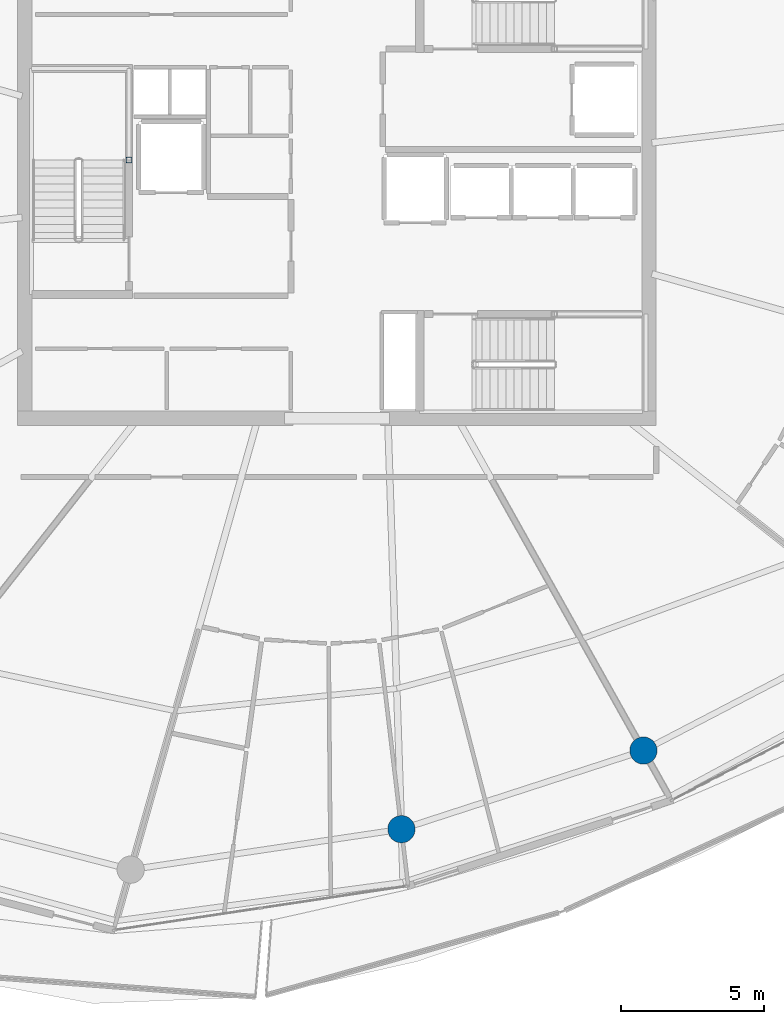
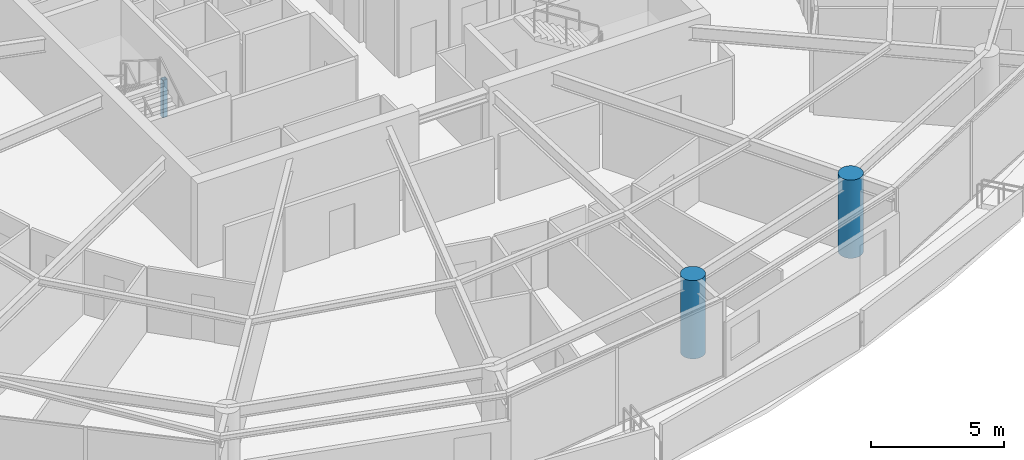
# One storey, part 2 of 30: 3 columns.
"""IFC4 building model written with IfcOpenShell, lengths in metres."""

import ifcopenshell
import ifcopenshell.guid

model = None  # the IFC model being written
_history = None  # IfcOwnerHistory: only IFC2X3 demands one
_inside = {}  # id of a spatial element -> (the spatial element, [elements in it])
_under = {}  # id of a project, library or spatial element -> (it, [spatial elements below it])
_declared = {}  # id of a project -> (the project, [libraries it declares])
_typed = {}  # id of a type object -> (the type object, [elements of that type])
_made_of = {}  # id of a material, layer set ... -> (it, [elements and type objects made of it])


def new_model(schema):
    """Start an empty IFC model of exactly this schema.

    Asked for "IFC4X3", IfcOpenShell would pick the latest addendum, in which some entities
    have other attributes; the version numbers below select the first issue.
    IFC2X3 requires an IfcOwnerHistory on every rooted entity: one is made here for all.
    """
    global model, _history
    if schema == "IFC4X3":
        model = ifcopenshell.file(schema_version=(4, 3, 0, 0))
    else:
        model = ifcopenshell.file(schema=schema)
    _inside.clear()
    _under.clear()
    _declared.clear()
    _typed.clear()
    _made_of.clear()
    _history = None
    if model.schema == "IFC2X3":
        org = make("IfcOrganization", Name="unknown")
        user = make(
            "IfcPersonAndOrganization",
            ThePerson=make("IfcPerson", FamilyName="unknown"),
            TheOrganization=org,
        )
        app = make(
            "IfcApplication",
            ApplicationDeveloper=org,
            Version="unknown",
            ApplicationFullName="unknown",
            ApplicationIdentifier="unknown",
        )
        _history = make(
            "IfcOwnerHistory",
            OwningUser=user,
            OwningApplication=app,
            ChangeAction="ADDED",
            CreationDate=0,
        )
    return model


def make(cls, **values):
    """One entity of the class cls with the attributes given. An attribute that is None is left unset."""
    return model.create_entity(
        cls, **{name: value for name, value in values.items() if value is not None}
    )


def rooted(cls, **values):
    """An entity with a GlobalId (a new one), such as an element, a storey or a relation."""
    return make(cls, GlobalId=ifcopenshell.guid.new(), OwnerHistory=_history, **values)


def si_unit(unit_type, name, prefix=None):
    """IfcSIUnit, for example si_unit("LENGTHUNIT", "METRE", prefix="MILLI")."""
    return make("IfcSIUnit", UnitType=unit_type, Prefix=prefix, Name=name)


def assignment(units):
    """IfcUnitAssignment: the units of a project."""
    return None if units is None else make("IfcUnitAssignment", Units=units)


def point(xyz):
    """IfcCartesianPoint."""
    return None if xyz is None else make("IfcCartesianPoint", Coordinates=xyz)


def direction(xyz):
    """IfcDirection."""
    return None if xyz is None else make("IfcDirection", DirectionRatios=xyz)


def frame(location, z_axis=None, x_axis=None):
    """IfcAxis2Placement3D, a coordinate frame: its origin and axes. An axis left out is left unset."""
    return make(
        "IfcAxis2Placement3D",
        Location=point(location),
        Axis=direction(z_axis),
        RefDirection=direction(x_axis),
    )


def frame_2d(location, x_axis=None):
    """IfcAxis2Placement2D, a coordinate frame in the plane: its origin and x axis."""
    return make(
        "IfcAxis2Placement2D", Location=point(location), RefDirection=direction(x_axis)
    )


def origin():
    """The frame at (0, 0, 0) with its axes left unset."""
    return frame((0.0, 0.0, 0.0))


def origin_2d():
    """The frame at (0, 0) in the plane with its x axis left unset."""
    return frame_2d((0.0, 0.0))


def place(relative_to, where):
    """IfcLocalPlacement: puts the frame where relative to a parent placement (None: the world)."""
    return make(
        "IfcLocalPlacement", PlacementRelTo=relative_to, RelativePlacement=where
    )


def context(
    kind, dimensions, precision=None, world=None, true_north=None, identifier=None
):
    """IfcGeometricRepresentationContext, for example the 3D "Model" context."""
    return make(
        "IfcGeometricRepresentationContext",
        ContextIdentifier=identifier,
        ContextType=kind,
        CoordinateSpaceDimension=dimensions,
        Precision=precision,
        WorldCoordinateSystem=world,
        TrueNorth=true_north,
    )


def subcontext(parent, identifier, kind, view, scale=None):
    """IfcGeometricRepresentationSubContext, for example "Body" below "Model"."""
    return make(
        "IfcGeometricRepresentationSubContext",
        ContextIdentifier=identifier,
        ContextType=kind,
        ParentContext=parent,
        TargetScale=scale,
        TargetView=view,
    )


def project(units=None, contexts=None):
    """IfcProject with its units and contexts."""
    return rooted(
        "IfcProject",
        Name="project",
        RepresentationContexts=contexts,
        UnitsInContext=assignment(units),
    )


def spatial(cls, under=None, at=None, **own):
    """A site, building, storey or space (cls), placed at a placement, below another one or the project."""
    s = rooted(cls, ObjectPlacement=at, **own)
    if under is not None:
        _under.setdefault(under.id(), (under, []))[1].append(s)
    return s


def profile(cls, at=None, kind="AREA", **sizes):
    """A parametric profile (cls). Its sizes go by their IFC names, for example OverallWidth=200.0."""
    return make(cls, ProfileType=kind, Position=at, **sizes)


def hollow_rectangle(**sizes):
    """IfcRectangleHollowProfileDef."""
    return profile("IfcRectangleHollowProfileDef", **sizes)


def circle(**sizes):
    """IfcCircleProfileDef."""
    return profile("IfcCircleProfileDef", **sizes)


def extrude(swept, where, along, depth):
    """IfcExtrudedAreaSolid: the profile swept, set in the frame where, extruded along a direction by depth."""
    return make(
        "IfcExtrudedAreaSolid",
        SweptArea=swept,
        Position=where,
        ExtrudedDirection=direction(along),
        Depth=depth,
    )


def shape(context_of_items, identifier, shape_type, items):
    """IfcShapeRepresentation: the items that make up one representation, for example the "Body"."""
    return make(
        "IfcShapeRepresentation",
        ContextOfItems=context_of_items,
        RepresentationIdentifier=identifier,
        RepresentationType=shape_type,
        Items=items,
    )


def material(Name=None, Category=None):
    """IfcMaterial."""
    return make("IfcMaterial", Name=Name, Category=Category)


def material_profile(
    of_material, cross_section, Name=None, Category=None, Priority=None
):
    """IfcMaterialProfile: a cross section and its material."""
    return make(
        "IfcMaterialProfile",
        Name=Name,
        Material=of_material,
        Profile=cross_section,
        Priority=Priority,
        Category=Category,
    )


def profile_set(profiles, Name=None, composite=None):
    """IfcMaterialProfileSet."""
    return make(
        "IfcMaterialProfileSet",
        Name=Name,
        MaterialProfiles=profiles,
        CompositeProfile=composite,
    )


def made_of(thing, what):
    """Note that an element or type object is made of a material, layer set ...; save() writes the relation."""
    if what is not None:
        _made_of.setdefault(what.id(), (what, []))[1].append(thing)
    return thing


def type_object(cls, material=None, **own):
    """A type object (cls), such as IfcWallType, which elements share."""
    return made_of(rooted(cls, **own), material)


def element(
    cls,
    number,
    at=None,
    inside=None,
    cuts=None,
    type_object=None,
    material=None,
    context=None,
    identifier="Body",
    shape_type=None,
    held_by="IfcProductDefinitionShape",
    body=None,
    shapes=None,
    **own,
):
    """One element of the class cls, such as IfcWall. Its Tag is "e" and its number.

    at: its placement. inside: the storey or other place that contains it. cuts: it is an
    opening in that element (IfcRelVoidsElement). A single representation is given by context,
    identifier, shape_type and body (its items); several are given by shapes. held_by: the class
    of the entity that holds the representations. save() writes the other relations.
    """
    e = rooted(cls, Tag="e%d" % number, ObjectPlacement=at, **own)
    if body is not None:
        shapes = [shape(context, identifier, shape_type, body)]
    if shapes is not None:
        e.Representation = make(held_by, Representations=shapes)
    if inside is not None:
        _inside.setdefault(inside.id(), (inside, []))[1].append(e)
    if cuts is not None:
        rooted(
            "IfcRelVoidsElement", RelatingBuildingElement=cuts, RelatedOpeningElement=e
        )
    if type_object is not None:
        _typed.setdefault(type_object.id(), (type_object, []))[1].append(e)
    return made_of(e, material)


def aggregate(whole, parts):
    """IfcRelAggregates: a whole, such as a stair, and the parts it consists of."""
    return rooted("IfcRelAggregates", RelatingObject=whole, RelatedObjects=parts)


def save(model, path):
    """Write the relations noted so far, then the file.

    IfcRelAggregates (storeys below a building ...), IfcRelContainedInSpatialStructure (elements
    in a storey), IfcRelDefinesByType, IfcRelAssociatesMaterial and IfcRelDeclares: one each for
    every whole, place, type object, material and project.
    """
    for whole, parts in _under.values():
        aggregate(whole, parts)
    for where, things in _inside.values():
        rooted(
            "IfcRelContainedInSpatialStructure",
            RelatedElements=things,
            RelatingStructure=where,
        )
    for kind, things in _typed.values():
        rooted("IfcRelDefinesByType", RelatedObjects=things, RelatingType=kind)
    for what, things in _made_of.values():
        rooted("IfcRelAssociatesMaterial", RelatedObjects=things, RelatingMaterial=what)
    for by, libraries in _declared.values():
        rooted("IfcRelDeclares", RelatingContext=by, RelatedDefinitions=libraries)
    model.write(path)


model = new_model("IFC4")

# Units and contexts
model_context = context("Model", 3, precision=1e-05, world=origin(), true_north=direction((0.0, 1.0)))
body_context = subcontext(model_context, "Body", "Model", "MODEL_VIEW")
ifc_project = project(units=[si_unit("LENGTHUNIT", "METRE"), si_unit("AREAUNIT", "SQUARE_METRE"), si_unit("VOLUMEUNIT", "CUBIC_METRE"), si_unit("PLANEANGLEUNIT", "RADIAN"), si_unit("MASSUNIT", "GRAM", prefix="KILO")], contexts=[model_context])

# Site, building, storey
site_placement = place(None, origin())
site = spatial("IfcSite", under=ifc_project, at=site_placement, CompositionType="ELEMENT")
building_placement = place(site_placement, origin())
building = spatial("IfcBuilding", under=site, at=building_placement, Name="Kazma Halo Residences", CompositionType="ELEMENT")
storey_placement = place(building_placement, frame((0.0, 0.0, 298.300048828125)))
storey = spatial("IfcBuildingStorey", under=building, at=storey_placement, Name="L75", CompositionType="ELEMENT", Elevation=298.300048828125)

# Columns
ifc_material_1 = material(Name="Steel S355", Category="steel")
ifc_material_profile_1 = material_profile(ifc_material_1, hollow_rectangle(XDim=0.199951171875, YDim=0.199951171875, WallThickness=0.010009765625, InnerFilletRadius=0.010009765625, OuterFilletRadius=0.02001953125, at=origin_2d()), Name="SHS200x200x10")
ifc_profile_set_1 = profile_set([ifc_material_profile_1], Name="Steel S355")
column_type_1 = type_object("IfcColumnType", Name="COL-LP-SHS200", PredefinedType="COLUMN", material=ifc_profile_set_1)
column_placement = place(storey_placement, frame((41.179931640625, 42.75, 0.0), z_axis=(0.0, 0.0, 1.0), x_axis=(1.0, 0.0, 0.0)))
element("IfcColumn", 1, at=column_placement, inside=storey, type_object=column_type_1, Name="L75 ST-01 landing pilaster 1", PredefinedType="COLUMN", context=body_context, shape_type="SweptSolid", body=[
    extrude(hollow_rectangle(XDim=0.199951171875, YDim=0.199951171875, WallThickness=0.010009765625, InnerFilletRadius=0.010009765625, OuterFilletRadius=0.02001953125, at=origin_2d()), origin(), (0.0, 0.0, 1.0), 1.719970703125),
])
ifc_material_2 = material(Name="Concrete C60/75", Category="concrete")
ifc_material_profile_2 = material_profile(ifc_material_2, circle(Radius=0.47509765625, at=origin_2d()), Name="CIRC950")
ifc_profile_set_2 = profile_set([ifc_material_profile_2], Name="Concrete C60/75")
column_type_2 = type_object("IfcColumnType", Name="COL-PERIM-950", PredefinedType="COLUMN", material=ifc_profile_set_2)
for number, where, z_axis, x_axis, name in (
    (2, (50.67138671875, 19.42919921875, 0.0), (0.0, 0.0, 1.0), (1.0, 0.0, 0.0), "L75 perimeter ring column P12"),
    (3, (59.10546875, 22.169677734375, 0.0), (0.0, 0.0, 1.0), (1.0, 0.0, 0.0), "L75 perimeter ring column P13"),
):
    element("IfcColumn", number, at=place(storey_placement, frame(where, z_axis=z_axis, x_axis=x_axis)), inside=storey, type_object=column_type_2, Name=name, PredefinedType="COLUMN", context=body_context, shape_type="SweptSolid", body=[
        extrude(circle(Radius=0.47509765625, at=origin_2d()), origin(), (0.0, 0.0, 1.0), 3.58984375),
    ])

save(model, "model.ifc")
